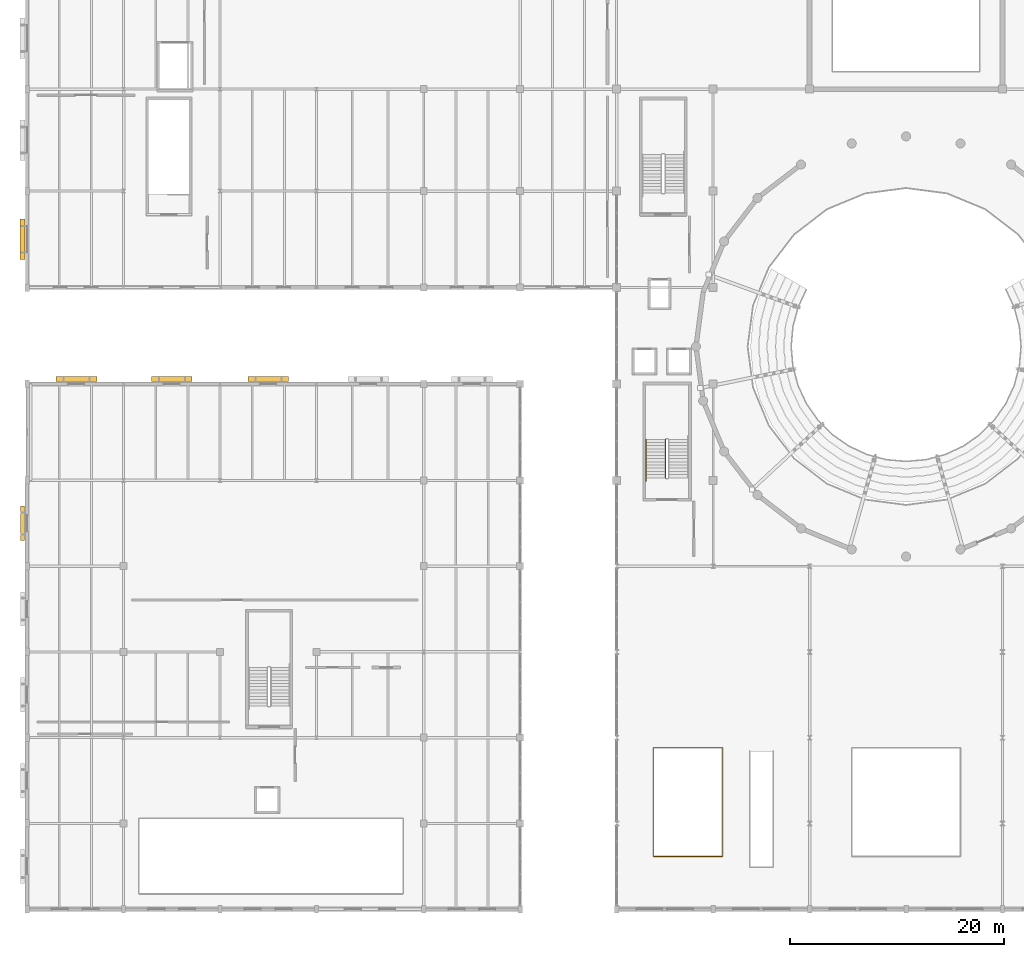
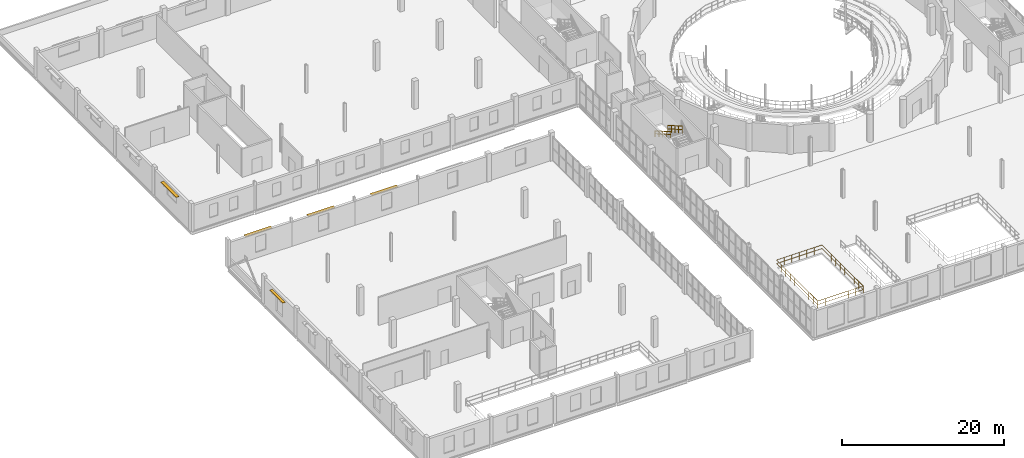
# One storey, part 75 of 85: 5 shading devices, 3 railings.
"""IFC4 building model written with IfcOpenShell, lengths in metres."""

from ifc_helpers import new_model, si_unit, direction, frame, origin, origin_2d, place, context, subcontext, project, spatial, rectangle, circle, extrude, material, layer, layer_set, type_object, element, save


model = new_model("IFC4")

# Units and contexts
model_context = context("Model", 3, precision=1e-05, world=origin(), true_north=direction((0.0, 1.0)))
body_context = subcontext(model_context, "Body", "Model", "MODEL_VIEW")
ifc_project = project(units=[si_unit("LENGTHUNIT", "METRE"), si_unit("AREAUNIT", "SQUARE_METRE"), si_unit("VOLUMEUNIT", "CUBIC_METRE"), si_unit("PLANEANGLEUNIT", "RADIAN"), si_unit("MASSUNIT", "GRAM", prefix="KILO")], contexts=[model_context])

# Site, building, storey
site_placement = place(None, origin())
site = spatial("IfcSite", under=ifc_project, at=site_placement, CompositionType="ELEMENT")
building_placement = place(site_placement, origin())
building = spatial("IfcBuilding", under=site, at=building_placement, Name="Marnock Terrace Opera House", CompositionType="ELEMENT")
storey_placement = place(building_placement, frame((0.0, 0.0, 10.199951171875)))
storey = spatial("IfcBuildingStorey", under=building, at=storey_placement, Name="L02", CompositionType="ELEMENT", Elevation=10.199951171875)

# Railings
ifc_material_1 = material(Name="Architectural bronze balustrade")
railing_type_1 = type_object("IfcRailingType", Name="RL-ATRIUM-1120", PredefinedType="BALUSTRADE", material=ifc_material_1)
railing_1_placement = place(storey_placement, frame((58.419921875, 12.919921875, 0.0)))
element("IfcRailing", 1, at=railing_1_placement, inside=storey, type_object=railing_type_1, Name="L02 floor opening balustrade ATR-1", PredefinedType="BALUSTRADE", context=body_context, shape_type="SweptSolid", body=[
    extrude(circle(Radius=0.02392578125, at=origin_2d()), frame((0.0, 0.0, 1.09619140625), z_axis=(1.0, 0.0, 0.0), x_axis=(0.0, 1.0, 0.0)), (0.0, 0.0, 1.0), 6.4599609375),
    extrude(circle(Radius=0.02392578125, at=origin_2d()), frame((0.0, 0.0, 0.56005859375), z_axis=(1.0, 0.0, 0.0), x_axis=(0.0, 1.0, 0.0)), (0.0, 0.0, 1.0), 6.4599609375),
    extrude(circle(Radius=0.02392578125, at=origin_2d()), frame((6.4599609375, 0.0, 1.09619140625), z_axis=(0.0, 1.0, 0.0), x_axis=(-1.0, 0.0, 0.0)), (0.0, 0.0, 1.0), 10.16015625),
    extrude(circle(Radius=0.02392578125, at=origin_2d()), frame((6.4599609375, 0.0, 0.56005859375), z_axis=(0.0, 1.0, 0.0), x_axis=(-1.0, 0.0, 0.0)), (0.0, 0.0, 1.0), 10.16015625),
    extrude(circle(Radius=0.02392578125, at=origin_2d()), frame((6.4599609375, 10.16015625, 1.09619140625), z_axis=(-1.0, 0.0, 0.0), x_axis=(0.0, -1.0, 0.0)), (0.0, 0.0, 1.0), 6.4599609375),
    extrude(circle(Radius=0.02392578125, at=origin_2d()), frame((6.4599609375, 10.16015625, 0.56005859375), z_axis=(-1.0, 0.0, 0.0), x_axis=(0.0, -1.0, 0.0)), (0.0, 0.0, 1.0), 6.4599609375),
    extrude(circle(Radius=0.02392578125, at=origin_2d()), frame((0.0, 10.16015625, 1.09619140625), z_axis=(0.0, -1.0, 0.0), x_axis=(1.0, 0.0, 0.0)), (0.0, 0.0, 1.0), 10.16015625),
    extrude(circle(Radius=0.02392578125, at=origin_2d()), frame((0.0, 10.16015625, 0.56005859375), z_axis=(0.0, -1.0, 0.0), x_axis=(1.0, 0.0, 0.0)), (0.0, 0.0, 1.0), 10.16015625),
    extrude(circle(Radius=0.02099609375, at=origin_2d()), origin(), (0.0, 0.0, 1.0), 1.072021484375),
    extrude(circle(Radius=0.02099609375, at=origin_2d()), frame((1.07666015625, 0.0, 0.0)), (0.0, 0.0, 1.0), 1.072021484375),
    extrude(circle(Radius=0.02099609375, at=origin_2d()), frame((2.1533203125, 0.0, 0.0)), (0.0, 0.0, 1.0), 1.072021484375),
    extrude(circle(Radius=0.02099609375, at=origin_2d()), frame((3.22998046875, 0.0, 0.0)), (0.0, 0.0, 1.0), 1.072021484375),
    extrude(circle(Radius=0.02099609375, at=origin_2d()), frame((4.306640625, 0.0, 0.0)), (0.0, 0.0, 1.0), 1.072021484375),
    extrude(circle(Radius=0.02099609375, at=origin_2d()), frame((5.38330078125, 0.0, 0.0)), (0.0, 0.0, 1.0), 1.072021484375),
    extrude(circle(Radius=0.02099609375, at=origin_2d()), frame((6.4599609375, 0.0, 0.0)), (0.0, 0.0, 1.0), 1.072021484375),
    extrude(circle(Radius=0.02099609375, at=origin_2d()), frame((6.4599609375, 1.12890625, 0.0)), (0.0, 0.0, 1.0), 1.072021484375),
    extrude(circle(Radius=0.02099609375, at=origin_2d()), frame((6.4599609375, 2.2578125, 0.0)), (0.0, 0.0, 1.0), 1.072021484375),
    extrude(circle(Radius=0.02099609375, at=origin_2d()), frame((6.4599609375, 3.38671875, 0.0)), (0.0, 0.0, 1.0), 1.072021484375),
    extrude(circle(Radius=0.02099609375, at=origin_2d()), frame((6.4599609375, 4.515625, 0.0)), (0.0, 0.0, 1.0), 1.072021484375),
    extrude(circle(Radius=0.02099609375, at=origin_2d()), frame((6.4599609375, 5.64453125, 0.0)), (0.0, 0.0, 1.0), 1.072021484375),
    extrude(circle(Radius=0.02099609375, at=origin_2d()), frame((6.4599609375, 6.7734375, 0.0)), (0.0, 0.0, 1.0), 1.072021484375),
    extrude(circle(Radius=0.02099609375, at=origin_2d()), frame((6.4599609375, 7.90234375, 0.0)), (0.0, 0.0, 1.0), 1.072021484375),
    extrude(circle(Radius=0.02099609375, at=origin_2d()), frame((6.4599609375, 9.03125, 0.0)), (0.0, 0.0, 1.0), 1.072021484375),
    extrude(circle(Radius=0.02099609375, at=origin_2d()), frame((6.4599609375, 10.16015625, 0.0)), (0.0, 0.0, 1.0), 1.072021484375),
    extrude(circle(Radius=0.02099609375, at=origin_2d()), frame((5.38330078125, 10.16015625, 0.0)), (0.0, 0.0, 1.0), 1.072021484375),
    extrude(circle(Radius=0.02099609375, at=origin_2d()), frame((4.306640625, 10.16015625, 0.0)), (0.0, 0.0, 1.0), 1.072021484375),
    extrude(circle(Radius=0.02099609375, at=origin_2d()), frame((3.22998046875, 10.16015625, 0.0)), (0.0, 0.0, 1.0), 1.072021484375),
    extrude(circle(Radius=0.02099609375, at=origin_2d()), frame((2.1533203125, 10.16015625, 0.0)), (0.0, 0.0, 1.0), 1.072021484375),
    extrude(circle(Radius=0.02099609375, at=origin_2d()), frame((1.07666015625, 10.16015625, 0.0)), (0.0, 0.0, 1.0), 1.072021484375),
    extrude(circle(Radius=0.02099609375, at=origin_2d()), frame((0.0, 10.16015625, 0.0)), (0.0, 0.0, 1.0), 1.072021484375),
    extrude(circle(Radius=0.02099609375, at=origin_2d()), frame((0.0, 9.03125, 0.0)), (0.0, 0.0, 1.0), 1.072021484375),
    extrude(circle(Radius=0.02099609375, at=origin_2d()), frame((0.0, 7.90234375, 0.0)), (0.0, 0.0, 1.0), 1.072021484375),
    extrude(circle(Radius=0.02099609375, at=origin_2d()), frame((0.0, 6.7734375, 0.0)), (0.0, 0.0, 1.0), 1.072021484375),
    extrude(circle(Radius=0.02099609375, at=origin_2d()), frame((0.0, 5.64453125, 0.0)), (0.0, 0.0, 1.0), 1.072021484375),
    extrude(circle(Radius=0.02099609375, at=origin_2d()), frame((0.0, 4.515625, 0.0)), (0.0, 0.0, 1.0), 1.072021484375),
    extrude(circle(Radius=0.02099609375, at=origin_2d()), frame((0.0, 3.38671875, 0.0)), (0.0, 0.0, 1.0), 1.072021484375),
    extrude(circle(Radius=0.02099609375, at=origin_2d()), frame((0.0, 2.2578125, 0.0)), (0.0, 0.0, 1.0), 1.072021484375),
    extrude(circle(Radius=0.02099609375, at=origin_2d()), frame((0.0, 1.12890625, 0.0)), (0.0, 0.0, 1.0), 1.072021484375),
])
railing_type_2 = type_object("IfcRailingType", Name="RL-GUARD-1100", PredefinedType="GUARDRAIL", material=ifc_material_1)
railing_2_placement = place(storey_placement, frame((59.550048828125, 51.840087890625, 2.423095703125)))
element("IfcRailing", 2, at=railing_2_placement, inside=storey, type_object=railing_type_2, Name="L02 ST-01 stair guard 3", PredefinedType="GUARDRAIL", context=body_context, shape_type="SweptSolid", body=[
    extrude(circle(Radius=0.02392578125, at=origin_2d()), frame((0.0, 0.0, 1.076171875), z_axis=(0.0, -0.866193409371, 0.499708892819), x_axis=(1.0, 0.0, 0.0)), (0.0, 0.0, 1.0), 4.15625),
    extrude(circle(Radius=0.02392578125, at=origin_2d()), frame((0.0, 0.0, 0.550048828125), z_axis=(0.0, -0.866193409371, 0.499708892819), x_axis=(1.0, 0.0, 0.0)), (0.0, 0.0, 1.0), 4.15625),
    extrude(circle(Radius=0.02099609375, at=origin_2d()), origin(), (0.0, 0.0, 1.0), 1.052001953125),
    extrude(circle(Radius=0.02099609375, at=origin_2d()), frame((0.0, -0.89990234375, 0.519287109375)), (0.0, 0.0, 1.0), 1.052001953125),
    extrude(circle(Radius=0.02099609375, at=origin_2d()), frame((0.0, -1.800048828125, 1.03857421875)), (0.0, 0.0, 1.0), 1.052001953125),
    extrude(circle(Radius=0.02099609375, at=origin_2d()), frame((0.0, -2.7001953125, 1.5576171875)), (0.0, 0.0, 1.0), 1.052001953125),
    extrude(circle(Radius=0.02099609375, at=origin_2d()), frame((0.0, -3.60009765625, 2.076904296875)), (0.0, 0.0, 1.0), 1.052001953125),
])
railing_type_3 = type_object("IfcRailingType", Name="RL-HAND-900", PredefinedType="HANDRAIL", material=ifc_material_1)
railing_3_placement = place(storey_placement, frame((57.72998046875, 51.840087890625, 2.43505859375)))
element("IfcRailing", 3, at=railing_3_placement, inside=storey, type_object=railing_type_3, Name="L02 ST-01 stair handrail 2", PredefinedType="HANDRAIL", context=body_context, shape_type="SweptSolid", body=[
    extrude(circle(Radius=0.02392578125, at=origin_2d()), frame((0.0, 0.0, 0.8759765625), z_axis=(0.0, -0.866193710181, 0.499708371395), x_axis=(1.0, 0.0, 0.0)), (0.0, 0.0, 1.0), 4.502685546875),
    extrude(circle(Radius=0.02392578125, at=origin_2d()), frame((0.0, 0.0, 0.449951171875), z_axis=(0.0, -0.866193710181, 0.499708371395), x_axis=(1.0, 0.0, 0.0)), (0.0, 0.0, 1.0), 4.502685546875),
    extrude(circle(Radius=0.02099609375, at=origin_2d()), origin(), (0.0, 0.0, 1.0), 0.851806640625),
    extrude(circle(Radius=0.02099609375, at=origin_2d()), frame((0.0, -0.97509765625, 0.5625)), (0.0, 0.0, 1.0), 0.851806640625),
    extrude(circle(Radius=0.02099609375, at=origin_2d()), frame((0.0, -1.9501953125, 1.125)), (0.0, 0.0, 1.0), 0.851806640625),
    extrude(circle(Radius=0.02099609375, at=origin_2d()), frame((0.0, -2.925048828125, 1.6875)), (0.0, 0.0, 1.0), 0.851806640625),
    extrude(circle(Radius=0.02099609375, at=origin_2d()), frame((0.0, -3.900146484375, 2.25)), (0.0, 0.0, 1.0), 0.851806640625),
])

# Shading devices
ifc_material_2 = material(Name="Architectural cast bronze")
ifc_layer_1 = layer(ifc_material_2, 0.050048828125)
ifc_layer_set_1 = layer_set([ifc_layer_1], Name="Architectural cast bronze")
shading_device_type_1 = type_object("IfcShadingDeviceType", Name="SHD-LOUVRE-3200", PredefinedType="JALOUSIE", material=ifc_layer_set_1)
shading_device_placement = place(storey_placement, frame((-0.43505859375, 44.0, 3.54638671875), z_axis=(0.0, 0.0, 1.0), x_axis=(0.0, 1.0, 0.0)))
element("IfcShadingDevice", 4, at=shading_device_placement, inside=storey, type_object=shading_device_type_1, Name="Adelaide sun-control bronze brise-soleil EW-V3W-L02-5", PredefinedType="JALOUSIE", context=body_context, shape_type="SweptSolid", body=[
    extrude(rectangle(XDim=3.199951171875, YDim=0.39990234375, at=origin_2d()), origin(), (0.0, 0.0, 1.0), 0.050048828125),
])
ifc_layer_2 = layer(ifc_material_2, 0.054931640625)
ifc_layer_set_2 = layer_set([ifc_layer_2], Name="Architectural cast bronze")
shading_device_type_2 = type_object("IfcShadingDeviceType", Name="SHD-LOUVRE-3800", PredefinedType="JALOUSIE", material=ifc_layer_set_2)
for number, where, z_axis, x_axis, name in (
    (5, (4.597900390625, 57.465087890625, 3.36962890625), (0.0, 0.0, 1.0), (1.0, 0.0, 0.0), "Adelaide sun-control bronze brise-soleil EW-V3N-L02-1"),
    (6, (13.5, 57.465087890625, 3.29541015625), (0.0, 0.0, 1.0), (1.0, 0.0, 0.0), "Adelaide sun-control bronze brise-soleil EW-V3N-L02-2"),
    (7, (22.5, 57.465087890625, 3.291015625), (0.0, 0.0, 1.0), (1.0, 0.0, 0.0), "Adelaide sun-control bronze brise-soleil EW-V3N-L02-3"),
    (8, (-0.43994140625, 70.5, 3.5439453125), (0.0, 0.0, 1.0), (0.0, 1.0, 0.0), "Adelaide sun-control bronze brise-soleil EW-V4W-L02-1"),
):
    element("IfcShadingDevice", number, at=place(storey_placement, frame(where, z_axis=z_axis, x_axis=x_axis)), inside=storey, type_object=shading_device_type_2, Name=name, PredefinedType="JALOUSIE", context=body_context, shape_type="SweptSolid", body=[
        extrude(rectangle(XDim=3.800048828125, YDim=0.449951171875, at=origin_2d()), origin(), (0.0, 0.0, 1.0), 0.054931640625),
    ])

save(model, "model.ifc")
